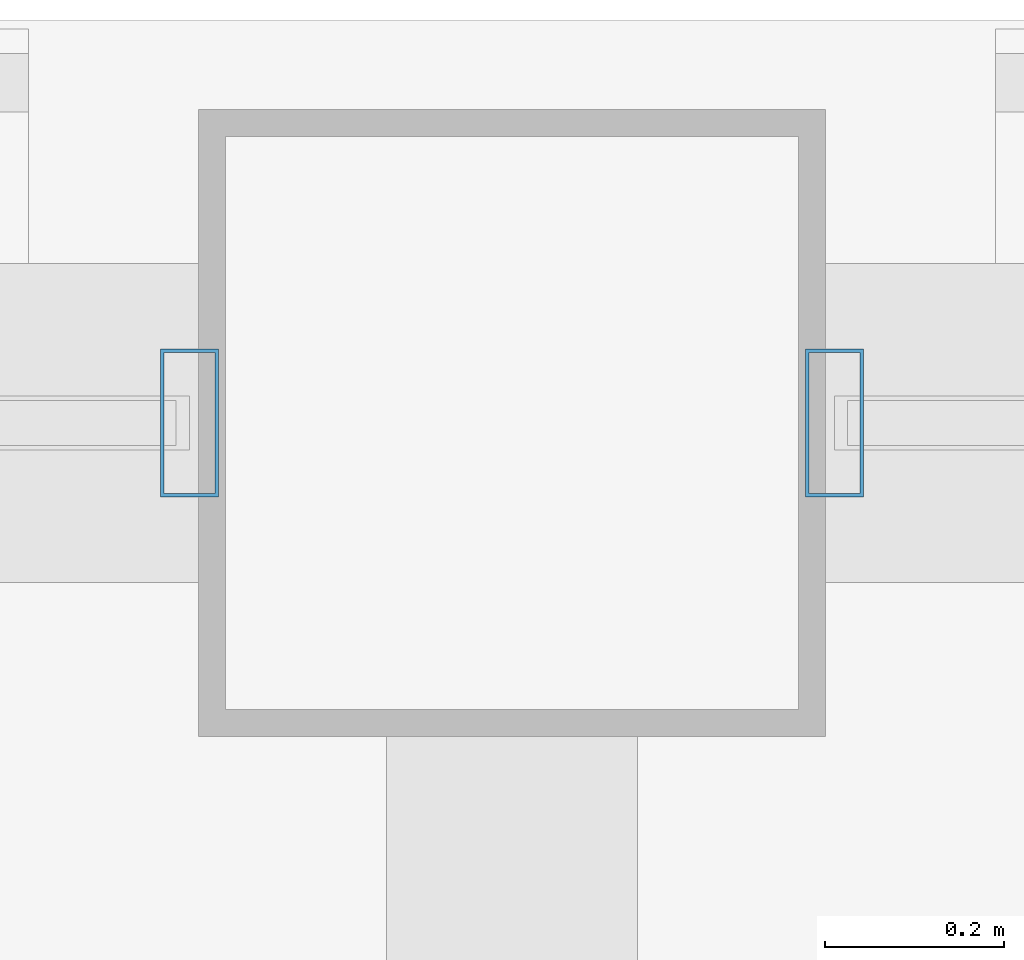
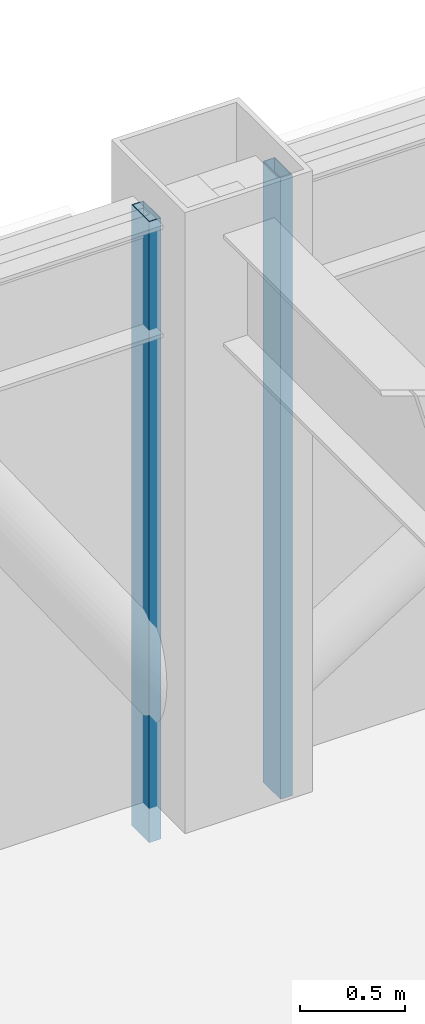
# One storey, part 23 of 33: 2 members, 2 elements without a shape of their own.
"""IFC4 building model written with IfcOpenShell, lengths in metres."""

import ifcopenshell
import ifcopenshell.guid

model = None  # the IFC model being written
_history = None  # IfcOwnerHistory: only IFC2X3 demands one
_inside = {}  # id of a spatial element -> (the spatial element, [elements in it])
_under = {}  # id of a project, library or spatial element -> (it, [spatial elements below it])
_declared = {}  # id of a project -> (the project, [libraries it declares])
_typed = {}  # id of a type object -> (the type object, [elements of that type])
_made_of = {}  # id of a material, layer set ... -> (it, [elements and type objects made of it])


def new_model(schema):
    """Start an empty IFC model of exactly this schema.

    Asked for "IFC4X3", IfcOpenShell would pick the latest addendum, in which some entities
    have other attributes; the version numbers below select the first issue.
    IFC2X3 requires an IfcOwnerHistory on every rooted entity: one is made here for all.
    """
    global model, _history
    if schema == "IFC4X3":
        model = ifcopenshell.file(schema_version=(4, 3, 0, 0))
    else:
        model = ifcopenshell.file(schema=schema)
    _inside.clear()
    _under.clear()
    _declared.clear()
    _typed.clear()
    _made_of.clear()
    _history = None
    if model.schema == "IFC2X3":
        org = make("IfcOrganization", Name="unknown")
        user = make(
            "IfcPersonAndOrganization",
            ThePerson=make("IfcPerson", FamilyName="unknown"),
            TheOrganization=org,
        )
        app = make(
            "IfcApplication",
            ApplicationDeveloper=org,
            Version="unknown",
            ApplicationFullName="unknown",
            ApplicationIdentifier="unknown",
        )
        _history = make(
            "IfcOwnerHistory",
            OwningUser=user,
            OwningApplication=app,
            ChangeAction="ADDED",
            CreationDate=0,
        )
    return model


def make(cls, **values):
    """One entity of the class cls with the attributes given. An attribute that is None is left unset."""
    return model.create_entity(
        cls, **{name: value for name, value in values.items() if value is not None}
    )


def rooted(cls, **values):
    """An entity with a GlobalId (a new one), such as an element, a storey or a relation."""
    return make(cls, GlobalId=ifcopenshell.guid.new(), OwnerHistory=_history, **values)


def si_unit(unit_type, name, prefix=None):
    """IfcSIUnit, for example si_unit("LENGTHUNIT", "METRE", prefix="MILLI")."""
    return make("IfcSIUnit", UnitType=unit_type, Prefix=prefix, Name=name)


def assignment(units):
    """IfcUnitAssignment: the units of a project."""
    return None if units is None else make("IfcUnitAssignment", Units=units)


def point(xyz):
    """IfcCartesianPoint."""
    return None if xyz is None else make("IfcCartesianPoint", Coordinates=xyz)


def direction(xyz):
    """IfcDirection."""
    return None if xyz is None else make("IfcDirection", DirectionRatios=xyz)


def frame(location, z_axis=None, x_axis=None):
    """IfcAxis2Placement3D, a coordinate frame: its origin and axes. An axis left out is left unset."""
    return make(
        "IfcAxis2Placement3D",
        Location=point(location),
        Axis=direction(z_axis),
        RefDirection=direction(x_axis),
    )


def frame_2d(location, x_axis=None):
    """IfcAxis2Placement2D, a coordinate frame in the plane: its origin and x axis."""
    return make(
        "IfcAxis2Placement2D", Location=point(location), RefDirection=direction(x_axis)
    )


def origin():
    """The frame at (0, 0, 0) with its axes left unset."""
    return frame((0.0, 0.0, 0.0))


def origin_2d():
    """The frame at (0, 0) in the plane with its x axis left unset."""
    return frame_2d((0.0, 0.0))


def place(relative_to, where):
    """IfcLocalPlacement: puts the frame where relative to a parent placement (None: the world)."""
    return make(
        "IfcLocalPlacement", PlacementRelTo=relative_to, RelativePlacement=where
    )


def context(
    kind, dimensions, precision=None, world=None, true_north=None, identifier=None
):
    """IfcGeometricRepresentationContext, for example the 3D "Model" context."""
    return make(
        "IfcGeometricRepresentationContext",
        ContextIdentifier=identifier,
        ContextType=kind,
        CoordinateSpaceDimension=dimensions,
        Precision=precision,
        WorldCoordinateSystem=world,
        TrueNorth=true_north,
    )


def subcontext(parent, identifier, kind, view, scale=None):
    """IfcGeometricRepresentationSubContext, for example "Body" below "Model"."""
    return make(
        "IfcGeometricRepresentationSubContext",
        ContextIdentifier=identifier,
        ContextType=kind,
        ParentContext=parent,
        TargetScale=scale,
        TargetView=view,
    )


def project(units=None, contexts=None):
    """IfcProject with its units and contexts."""
    return rooted(
        "IfcProject",
        Name="project",
        RepresentationContexts=contexts,
        UnitsInContext=assignment(units),
    )


def spatial(cls, under=None, at=None, **own):
    """A site, building, storey or space (cls), placed at a placement, below another one or the project."""
    s = rooted(cls, ObjectPlacement=at, **own)
    if under is not None:
        _under.setdefault(under.id(), (under, []))[1].append(s)
    return s


def profile(cls, at=None, kind="AREA", **sizes):
    """A parametric profile (cls). Its sizes go by their IFC names, for example OverallWidth=200.0."""
    return make(cls, ProfileType=kind, Position=at, **sizes)


def hollow_rectangle(**sizes):
    """IfcRectangleHollowProfileDef."""
    return profile("IfcRectangleHollowProfileDef", **sizes)


def extrude(swept, where, along, depth):
    """IfcExtrudedAreaSolid: the profile swept, set in the frame where, extruded along a direction by depth."""
    return make(
        "IfcExtrudedAreaSolid",
        SweptArea=swept,
        Position=where,
        ExtrudedDirection=direction(along),
        Depth=depth,
    )


def shape(context_of_items, identifier, shape_type, items):
    """IfcShapeRepresentation: the items that make up one representation, for example the "Body"."""
    return make(
        "IfcShapeRepresentation",
        ContextOfItems=context_of_items,
        RepresentationIdentifier=identifier,
        RepresentationType=shape_type,
        Items=items,
    )


def material(Name=None, Category=None):
    """IfcMaterial."""
    return make("IfcMaterial", Name=Name, Category=Category)


def layer(
    of_material, thickness, ventilated=None, Name=None, Category=None, Priority=None
):
    """IfcMaterialLayer: one layer of a wall or slab, of a material (None: an air gap)."""
    return make(
        "IfcMaterialLayer",
        Material=of_material,
        LayerThickness=thickness,
        IsVentilated=ventilated,
        Name=Name,
        Category=Category,
        Priority=Priority,
    )


def layer_set(layers, Name=None):
    """IfcMaterialLayerSet."""
    return make("IfcMaterialLayerSet", MaterialLayers=layers, LayerSetName=Name)


def material_profile(
    of_material, cross_section, Name=None, Category=None, Priority=None
):
    """IfcMaterialProfile: a cross section and its material."""
    return make(
        "IfcMaterialProfile",
        Name=Name,
        Material=of_material,
        Profile=cross_section,
        Priority=Priority,
        Category=Category,
    )


def profile_set(profiles, Name=None, composite=None):
    """IfcMaterialProfileSet."""
    return make(
        "IfcMaterialProfileSet",
        Name=Name,
        MaterialProfiles=profiles,
        CompositeProfile=composite,
    )


def made_of(thing, what):
    """Note that an element or type object is made of a material, layer set ...; save() writes the relation."""
    if what is not None:
        _made_of.setdefault(what.id(), (what, []))[1].append(thing)
    return thing


def type_object(cls, material=None, **own):
    """A type object (cls), such as IfcWallType, which elements share."""
    return made_of(rooted(cls, **own), material)


def element(
    cls,
    number,
    at=None,
    inside=None,
    cuts=None,
    type_object=None,
    material=None,
    context=None,
    identifier="Body",
    shape_type=None,
    held_by="IfcProductDefinitionShape",
    body=None,
    shapes=None,
    **own,
):
    """One element of the class cls, such as IfcWall. Its Tag is "e" and its number.

    at: its placement. inside: the storey or other place that contains it. cuts: it is an
    opening in that element (IfcRelVoidsElement). A single representation is given by context,
    identifier, shape_type and body (its items); several are given by shapes. held_by: the class
    of the entity that holds the representations. save() writes the other relations.
    """
    e = rooted(cls, Tag="e%d" % number, ObjectPlacement=at, **own)
    if body is not None:
        shapes = [shape(context, identifier, shape_type, body)]
    if shapes is not None:
        e.Representation = make(held_by, Representations=shapes)
    if inside is not None:
        _inside.setdefault(inside.id(), (inside, []))[1].append(e)
    if cuts is not None:
        rooted(
            "IfcRelVoidsElement", RelatingBuildingElement=cuts, RelatedOpeningElement=e
        )
    if type_object is not None:
        _typed.setdefault(type_object.id(), (type_object, []))[1].append(e)
    return made_of(e, material)


def aggregate(whole, parts):
    """IfcRelAggregates: a whole, such as a stair, and the parts it consists of."""
    return rooted("IfcRelAggregates", RelatingObject=whole, RelatedObjects=parts)


def save(model, path):
    """Write the relations noted so far, then the file.

    IfcRelAggregates (storeys below a building ...), IfcRelContainedInSpatialStructure (elements
    in a storey), IfcRelDefinesByType, IfcRelAssociatesMaterial and IfcRelDeclares: one each for
    every whole, place, type object, material and project.
    """
    for whole, parts in _under.values():
        aggregate(whole, parts)
    for where, things in _inside.values():
        rooted(
            "IfcRelContainedInSpatialStructure",
            RelatedElements=things,
            RelatingStructure=where,
        )
    for kind, things in _typed.values():
        rooted("IfcRelDefinesByType", RelatedObjects=things, RelatingType=kind)
    for what, things in _made_of.values():
        rooted("IfcRelAssociatesMaterial", RelatedObjects=things, RelatingMaterial=what)
    for by, libraries in _declared.values():
        rooted("IfcRelDeclares", RelatingContext=by, RelatedDefinitions=libraries)
    model.write(path)


model = new_model("IFC4")

# Units and contexts
model_context = context("Model", 3, precision=1e-05, world=origin(), true_north=direction((0.0, 1.0)))
body_context = subcontext(model_context, "Body", "Model", "MODEL_VIEW")
ifc_project = project(units=[si_unit("LENGTHUNIT", "METRE"), si_unit("AREAUNIT", "SQUARE_METRE"), si_unit("VOLUMEUNIT", "CUBIC_METRE"), si_unit("PLANEANGLEUNIT", "RADIAN"), si_unit("MASSUNIT", "GRAM", prefix="KILO")], contexts=[model_context])

# Site, building, storey
site_placement = place(None, origin())
site = spatial("IfcSite", under=ifc_project, at=site_placement, CompositionType="ELEMENT")
building_placement = place(site_placement, origin())
building = spatial("IfcBuilding", under=site, at=building_placement, Name="Brelmoor Portico Tower", CompositionType="ELEMENT")
storey_placement = place(building_placement, frame((0.0, 0.0, 183.89990234375)))
storey = spatial("IfcBuildingStorey", under=building, at=storey_placement, Name="L48", CompositionType="ELEMENT", Elevation=183.89990234375)

# Curtain wall, member
ifc_material = material(Name="Anodised Aluminium Alloy 6063-T6", Category="aluminium")
ifc_layer = layer(ifc_material, 0.179931640625)
ifc_layer_set = layer_set([ifc_layer], Name="Anodised Aluminium Alloy 6063-T6")
curtain_wall_type = type_object("IfcCurtainWallType", Name="CW-TOWER-Z3-XB", PredefinedType="NOTDEFINED", material=ifc_layer_set)
curtain_wall_1_placement = place(storey_placement, origin())
curtain_wall_1 = element("IfcCurtainWall", 1, at=curtain_wall_1_placement, inside=storey, type_object=curtain_wall_type, Name="L48 Curtain Wall CW-L48-02-1", PredefinedType="NOTDEFINED")
ifc_material_profile = material_profile(ifc_material, hollow_rectangle(XDim=0.06494140625, YDim=0.1650390625, WallThickness=0.00390625, at=origin_2d()), Name="ALU MULLION 65x165")
ifc_profile_set = profile_set([ifc_material_profile], Name="Anodised Aluminium Alloy 6063-T6")
member_type = type_object("IfcMemberType", Name="MB-CW-MULL-165", PredefinedType="MULLION", material=ifc_profile_set)
member_1_placement = place(storey_placement, frame((-8.409912109375, 18.550048828125, -0.199951171875), z_axis=(0.0, 0.0, 1.0), x_axis=(1.0, 0.0, 0.0)))
member_1 = element("IfcMember", 2, at=member_1_placement, type_object=member_type, Name="CW-L48-02-1 Mullion 01", PredefinedType="MULLION", context=body_context, shape_type="SweptSolid", body=[
    extrude(hollow_rectangle(XDim=0.06494140625, YDim=0.1650390625, WallThickness=0.00390625, at=origin_2d()), origin(), (0.0, 0.0, 1.0), 3.60009765625),
])
aggregate(curtain_wall_1, [member_1])

curtain_wall_2_placement = place(storey_placement, origin())
curtain_wall_2 = element("IfcCurtainWall", 3, at=curtain_wall_2_placement, inside=storey, type_object=curtain_wall_type, Name="L48 Curtain Wall CW-L48-02-2", PredefinedType="NOTDEFINED")
member_2_placement = place(storey_placement, frame((-7.68994140625, 18.550048828125, -0.199951171875), z_axis=(0.0, 0.0, 1.0), x_axis=(1.0, 0.0, 0.0)))
member_2 = element("IfcMember", 4, at=member_2_placement, type_object=member_type, Name="CW-L48-02-2 Mullion 00", PredefinedType="MULLION", context=body_context, shape_type="SweptSolid", body=[
    extrude(hollow_rectangle(XDim=0.06494140625, YDim=0.1650390625, WallThickness=0.00390625, at=origin_2d()), origin(), (0.0, 0.0, 1.0), 3.60009765625),
])
aggregate(curtain_wall_2, [member_2])

save(model, "model.ifc")
